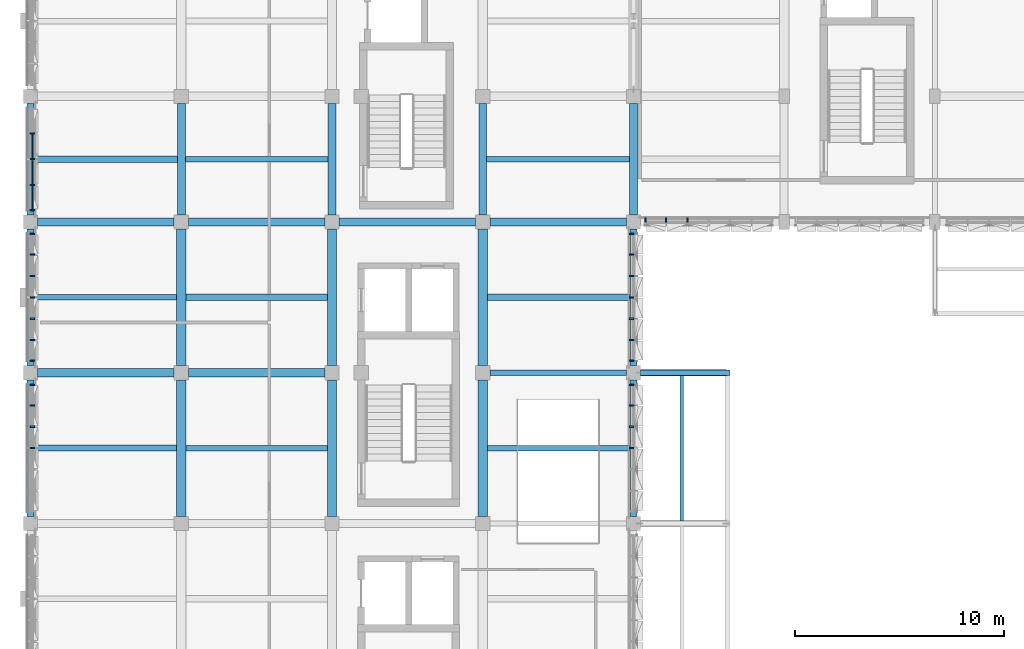
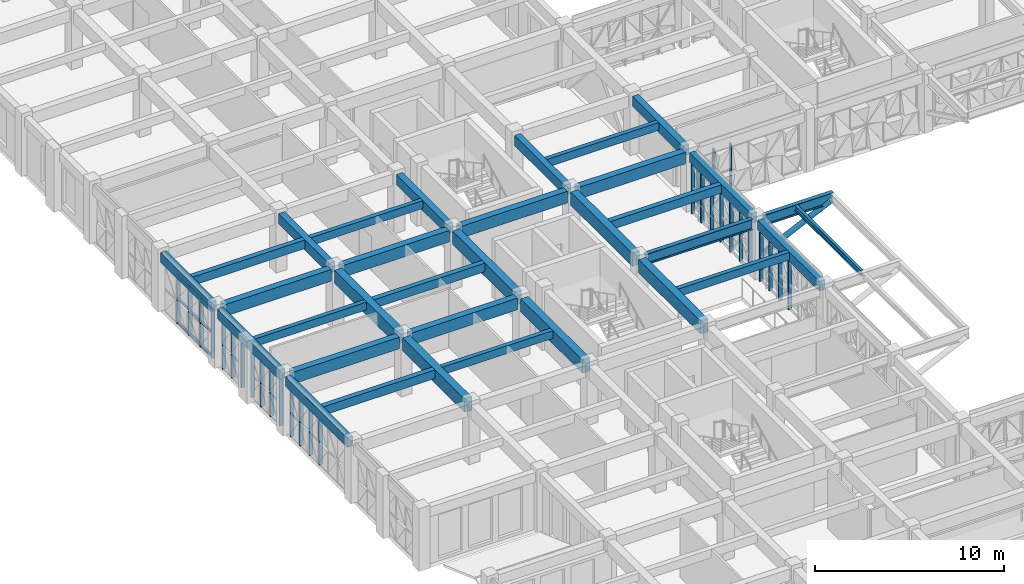
# One storey, part 7 of 88: 39 members, 33 beams, 6 elements without a shape of their own.
"""IFC4 building model written with IfcOpenShell, lengths in metres."""

from ifc_helpers import new_model, si_unit, direction, frame, origin, origin_2d, place, context, subcontext, project, spatial, rectangle, hollow_circle, i_section, extrude, material, material_profile, profile_set, type_object, element, aggregate, save


model = new_model("IFC4")

# Units and contexts
model_context = context("Model", 3, precision=1e-05, world=origin(), true_north=direction((0.0, 1.0)))
body_context = subcontext(model_context, "Body", "Model", "MODEL_VIEW")
ifc_project = project(units=[si_unit("LENGTHUNIT", "METRE"), si_unit("AREAUNIT", "SQUARE_METRE"), si_unit("VOLUMEUNIT", "CUBIC_METRE"), si_unit("PLANEANGLEUNIT", "RADIAN"), si_unit("MASSUNIT", "GRAM", prefix="KILO")], contexts=[model_context])

# Site, building, storey
site_placement = place(None, origin())
site = spatial("IfcSite", under=ifc_project, at=site_placement, CompositionType="ELEMENT")
building_placement = place(site_placement, origin())
building = spatial("IfcBuilding", under=site, at=building_placement, Name="Alvorim Cloister Faculty of Sciences", CompositionType="ELEMENT")
storey_placement = place(building_placement, frame((0.0, 0.0, 4.5)))
storey = spatial("IfcBuildingStorey", under=building, at=storey_placement, Name="L01", CompositionType="ELEMENT", Elevation=4.5)

# Beams
ifc_material_1 = material(Name="Concrete C40", Category="concrete")
ifc_material_profile_1 = material_profile(ifc_material_1, rectangle(XDim=0.260009765625, YDim=0.5, at=origin_2d()), Name="RC40-JST-260x500")
ifc_profile_set_1 = profile_set([ifc_material_profile_1], Name="Concrete C40")
beam_type_1 = type_object("IfcBeamType", Name="BM-JST-RC-260x500", PredefinedType="JOIST", material=ifc_profile_set_1)
beam_1_placement = place(storey_placement, frame((0.175048828125, 39.60009765625, 3.5400390625), z_axis=(1.0, 0.0, 0.0), x_axis=(0.0, 1.0, 0.0)))
element("IfcBeam", 1, at=beam_1_placement, inside=storey, type_object=beam_type_1, Name="L01 Secondary Floor Joist BM-1147", PredefinedType="JOIST", context=body_context, shape_type="SweptSolid", body=[
    extrude(rectangle(XDim=0.260009765625, YDim=0.5, at=origin_2d()), origin(), (0.0, 0.0, 1.0), 6.800048828125),
])
beam_2_placement = place(storey_placement, frame((7.425048828125, 32.39990234375, 3.5400390625), z_axis=(1.0, 0.0, 0.0), x_axis=(0.0, 1.0, 0.0)))
element("IfcBeam", 2, at=beam_2_placement, inside=storey, type_object=beam_type_1, Name="L01 Secondary Floor Joist BM-1162", PredefinedType="JOIST", context=body_context, shape_type="SweptSolid", body=[
    extrude(rectangle(XDim=0.260009765625, YDim=0.5, at=origin_2d()), origin(), (0.0, 0.0, 1.0), 6.75),
])
beam_3_placement = place(storey_placement, frame((7.389892578125, 46.199951171875, 3.5400390625), z_axis=(1.0, 0.0, 0.0), x_axis=(0.0, 1.0, 0.0)))
element("IfcBeam", 3, at=beam_3_placement, inside=storey, type_object=beam_type_1, Name="L01 Secondary Floor Joist BM-1164", PredefinedType="JOIST", context=body_context, shape_type="SweptSolid", body=[
    extrude(rectangle(XDim=0.260009765625, YDim=0.5, at=origin_2d()), origin(), (0.0, 0.0, 1.0), 6.820068359375),
])
beam_4_placement = place(storey_placement, frame((21.824951171875, 32.39990234375, 3.5400390625), z_axis=(1.0, 0.0, 0.0), x_axis=(0.0, 1.0, 0.0)))
element("IfcBeam", 4, at=beam_4_placement, inside=storey, type_object=beam_type_1, Name="L01 Secondary Floor Joist BM-1186", PredefinedType="JOIST", context=body_context, shape_type="SweptSolid", body=[
    extrude(rectangle(XDim=0.260009765625, YDim=0.5, at=origin_2d()), origin(), (0.0, 0.0, 1.0), 6.800048828125),
])
beam_5_placement = place(storey_placement, frame((21.7900390625, 46.199951171875, 3.5400390625), z_axis=(1.0, 0.0, 0.0), x_axis=(0.0, 1.0, 0.0)))
element("IfcBeam", 5, at=beam_5_placement, inside=storey, type_object=beam_type_1, Name="L01 Secondary Floor Joist BM-1188", PredefinedType="JOIST", context=body_context, shape_type="SweptSolid", body=[
    extrude(rectangle(XDim=0.260009765625, YDim=0.5, at=origin_2d()), origin(), (0.0, 0.0, 1.0), 6.820068359375),
])
ifc_material_profile_2 = material_profile(ifc_material_1, rectangle(XDim=0.300048828125, YDim=0.550048828125, at=origin_2d()), Name="RC40-JST-300x550")
ifc_profile_set_2 = profile_set([ifc_material_profile_2], Name="Concrete C40")
beam_type_2 = type_object("IfcBeamType", Name="BM-JST-RC-300x550", PredefinedType="JOIST", material=ifc_profile_set_2)
beam_6_placement = place(storey_placement, frame((0.175048828125, 32.39990234375, 3.514892578125), z_axis=(1.0, 0.0, 0.0), x_axis=(0.0, 1.0, 0.0)))
element("IfcBeam", 6, at=beam_6_placement, inside=storey, type_object=beam_type_2, Name="L01 Secondary Floor Joist BM-1146", PredefinedType="JOIST", context=body_context, shape_type="SweptSolid", body=[
    extrude(rectangle(XDim=0.300048828125, YDim=0.550048828125, at=origin_2d()), origin(), (0.0, 0.0, 1.0), 6.800048828125),
])
beam_7_placement = place(storey_placement, frame((0.175048828125, 46.199951171875, 3.514892578125), z_axis=(1.0, 0.0, 0.0), x_axis=(0.0, 1.0, 0.0)))
element("IfcBeam", 7, at=beam_7_placement, inside=storey, type_object=beam_type_2, Name="L01 Secondary Floor Joist BM-1148", PredefinedType="JOIST", context=body_context, shape_type="SweptSolid", body=[
    extrude(rectangle(XDim=0.300048828125, YDim=0.550048828125, at=origin_2d()), origin(), (0.0, 0.0, 1.0), 6.8349609375),
])
beam_8_placement = place(storey_placement, frame((7.425048828125, 39.60009765625, 3.514892578125), z_axis=(1.0, 0.0, 0.0), x_axis=(0.0, 1.0, 0.0)))
element("IfcBeam", 8, at=beam_8_placement, inside=storey, type_object=beam_type_2, Name="L01 Secondary Floor Joist BM-1163", PredefinedType="JOIST", context=body_context, shape_type="SweptSolid", body=[
    extrude(rectangle(XDim=0.300048828125, YDim=0.550048828125, at=origin_2d()), origin(), (0.0, 0.0, 1.0), 6.75),
])
beam_9_placement = place(storey_placement, frame((21.824951171875, 39.60009765625, 3.514892578125), z_axis=(1.0, 0.0, 0.0), x_axis=(0.0, 1.0, 0.0)))
element("IfcBeam", 9, at=beam_9_placement, inside=storey, type_object=beam_type_2, Name="L01 Secondary Floor Joist BM-1187", PredefinedType="JOIST", context=body_context, shape_type="SweptSolid", body=[
    extrude(rectangle(XDim=0.300048828125, YDim=0.550048828125, at=origin_2d()), origin(), (0.0, 0.0, 1.0), 6.800048828125),
])
ifc_material_profile_3 = material_profile(ifc_material_1, rectangle(XDim=0.3798828125, YDim=0.64990234375, at=origin_2d()), Name="RC40-BM-380x650")
ifc_profile_set_3 = profile_set([ifc_material_profile_3], Name="Concrete C40")
beam_type_3 = type_object("IfcBeamType", Name="BM-RC-380x650", PredefinedType="BEAM", material=ifc_profile_set_3)
for number, where, z_axis, x_axis, name in (
    (10, (7.199951171875, 43.5400390625, 3.465087890625), (0.0, 1.0, 0.0), (-1.0, 0.0, 0.0), "L01 Primary Girder BM-1038"),
    (11, (14.39990234375, 43.5400390625, 3.465087890625), (0.0, 1.0, 0.0), (-1.0, 0.0, 0.0), "L01 Primary Girder BM-1054"),
    (12, (21.60009765625, 43.5400390625, 3.465087890625), (0.0, 1.0, 0.0), (-1.0, 0.0, 0.0), "L01 Primary Girder BM-1070"),
    (13, (28.800048828125, 43.5400390625, 3.465087890625), (0.0, 1.0, 0.0), (-1.0, 0.0, 0.0), "L01 Primary Girder BM-1086"),
):
    element("IfcBeam", number, at=place(storey_placement, frame(where, z_axis=z_axis, x_axis=x_axis)), inside=storey, type_object=beam_type_3, Name=name, PredefinedType="BEAM", context=body_context, shape_type="SweptSolid", body=[
        extrude(rectangle(XDim=0.3798828125, YDim=0.64990234375, at=origin_2d()), origin(), (0.0, 0.0, 1.0), 5.320068359375),
    ])
ifc_material_profile_4 = material_profile(ifc_material_1, rectangle(XDim=0.39990234375, YDim=0.75, at=origin_2d()), Name="RC40-BM-400x750")
ifc_profile_set_4 = profile_set([ifc_material_profile_4], Name="Concrete C40")
beam_type_4 = type_object("IfcBeamType", Name="BM-RC-400x750", PredefinedType="BEAM", material=ifc_profile_set_4)
for number, where, z_axis, x_axis, name in (
    (14, (0.340087890625, 36.0, 3.4150390625), (1.0, 0.0, 0.0), (0.0, 1.0, 0.0), "L01 Primary Beam BM-0963"),
    (15, (7.5400390625, 36.0, 3.4150390625), (1.0, 0.0, 0.0), (0.0, 1.0, 0.0), "L01 Primary Beam BM-0964"),
    (16, (0.340087890625, 43.199951171875, 3.4150390625), (1.0, 0.0, 0.0), (0.0, 1.0, 0.0), "L01 Primary Beam BM-0965"),
    (17, (7.5400390625, 43.199951171875, 3.4150390625), (1.0, 0.0, 0.0), (0.0, 1.0, 0.0), "L01 Primary Beam BM-0966"),
    (18, (14.739990234375, 43.199951171875, 3.4150390625), (1.0, 0.0, 0.0), (0.0, 1.0, 0.0), "L01 Primary Beam BM-0967"),
    (19, (21.93994140625, 43.199951171875, 3.4150390625), (1.0, 0.0, 0.0), (0.0, 1.0, 0.0), "L01 Primary Beam BM-0968"),
):
    element("IfcBeam", number, at=place(storey_placement, frame(where, z_axis=z_axis, x_axis=x_axis)), inside=storey, type_object=beam_type_4, Name=name, PredefinedType="BEAM", context=body_context, shape_type="SweptSolid", body=[
        extrude(rectangle(XDim=0.39990234375, YDim=0.75, at=origin_2d()), origin(), (0.0, 0.0, 1.0), 6.52001953125),
    ])
ifc_material_profile_5 = material_profile(ifc_material_1, rectangle(XDim=0.449951171875, YDim=0.85009765625, at=origin_2d()), Name="RC40-BM-450x850")
ifc_profile_set_5 = profile_set([ifc_material_profile_5], Name="Concrete C40")
beam_type_5 = type_object("IfcBeamType", Name="BM-RC-450x850", PredefinedType="BEAM", material=ifc_profile_set_5)
for number, where, z_axis, x_axis, name in (
    (20, (7.199951171875, 29.139892578125, 3.364990234375), (0.0, 1.0, 0.0), (-1.0, 0.0, 0.0), "L01 Primary Girder BM-1036"),
    (21, (7.199951171875, 36.340087890625, 3.364990234375), (0.0, 1.0, 0.0), (-1.0, 0.0, 0.0), "L01 Primary Girder BM-1037"),
    (22, (14.39990234375, 29.139892578125, 3.364990234375), (0.0, 1.0, 0.0), (-1.0, 0.0, 0.0), "L01 Primary Girder BM-1052"),
    (23, (14.39990234375, 36.340087890625, 3.364990234375), (0.0, 1.0, 0.0), (-1.0, 0.0, 0.0), "L01 Primary Girder BM-1053"),
    (24, (21.60009765625, 29.139892578125, 3.364990234375), (0.0, 1.0, 0.0), (-1.0, 0.0, 0.0), "L01 Primary Girder BM-1068"),
    (25, (21.60009765625, 36.340087890625, 3.364990234375), (0.0, 1.0, 0.0), (-1.0, 0.0, 0.0), "L01 Primary Girder BM-1069"),
):
    element("IfcBeam", number, at=place(storey_placement, frame(where, z_axis=z_axis, x_axis=x_axis)), inside=storey, type_object=beam_type_5, Name=name, PredefinedType="BEAM", context=body_context, shape_type="SweptSolid", body=[
        extrude(rectangle(XDim=0.449951171875, YDim=0.85009765625, at=origin_2d()), origin(), (0.0, 0.0, 1.0), 6.52001953125),
    ])
ifc_material_profile_6 = material_profile(ifc_material_1, rectangle(XDim=0.35009765625, YDim=0.6201171875, at=origin_2d()), Name="RC40-SPD-350x620")
ifc_profile_set_6 = profile_set([ifc_material_profile_6], Name="Concrete C40")
beam_type_6 = type_object("IfcBeamType", Name="BM-SPD-RC-350x620", PredefinedType="SPANDREL", material=ifc_profile_set_6)
for number, where, z_axis, x_axis, name in (
    (26, (0.0, 29.139892578125, 3.47998046875), (0.0, 1.0, 0.0), (-1.0, 0.0, 0.0), "L01 Primary Girder BM-1020"),
    (27, (0.0, 36.340087890625, 3.47998046875), (0.0, 1.0, 0.0), (-1.0, 0.0, 0.0), "L01 Primary Girder BM-1021"),
):
    element("IfcBeam", number, at=place(storey_placement, frame(where, z_axis=z_axis, x_axis=x_axis)), inside=storey, type_object=beam_type_6, Name=name, PredefinedType="SPANDREL", context=body_context, shape_type="SweptSolid", body=[
        extrude(rectangle(XDim=0.35009765625, YDim=0.6201171875, at=origin_2d()), origin(), (0.0, 0.0, 1.0), 6.52001953125),
    ])
beam_10_placement = place(storey_placement, frame((0.0, 43.5400390625, 3.47998046875), z_axis=(0.0, 1.0, 0.0), x_axis=(-1.0, 0.0, 0.0)))
element("IfcBeam", 28, at=beam_10_placement, inside=storey, type_object=beam_type_6, Name="L01 Primary Girder BM-1022", PredefinedType="SPANDREL", context=body_context, shape_type="SweptSolid", body=[
    extrude(rectangle(XDim=0.35009765625, YDim=0.6201171875, at=origin_2d()), origin(), (0.0, 0.0, 1.0), 5.320068359375),
])
for number, where, z_axis, x_axis, name in (
    (29, (28.800048828125, 29.139892578125, 3.47998046875), (0.0, 1.0, 0.0), (-1.0, 0.0, 0.0), "L01 Primary Girder BM-1084"),
    (30, (28.800048828125, 36.340087890625, 3.47998046875), (0.0, 1.0, 0.0), (-1.0, 0.0, 0.0), "L01 Primary Girder BM-1085"),
):
    element("IfcBeam", number, at=place(storey_placement, frame(where, z_axis=z_axis, x_axis=x_axis)), inside=storey, type_object=beam_type_6, Name=name, PredefinedType="SPANDREL", context=body_context, shape_type="SweptSolid", body=[
        extrude(rectangle(XDim=0.35009765625, YDim=0.6201171875, at=origin_2d()), origin(), (0.0, 0.0, 1.0), 6.52001953125),
    ])
ifc_material_2 = material(Name="Steel ASTM A572 Grade 50", Category="steel")
ifc_material_profile_7 = material_profile(ifc_material_2, i_section(OverallWidth=0.1708984375, OverallDepth=0.35498046875, WebThickness=0.007080078125, FlangeThickness=0.01171875, FilletRadius=0.012939453125, at=origin_2d()), Name="W360x51.0")
ifc_profile_set_7 = profile_set([ifc_material_profile_7], Name="Steel ASTM A572 Grade 50")
beam_type_7 = type_object("IfcBeamType", Name="BM-STL-W360", PredefinedType="JOIST", material=ifc_profile_set_7)
beam_11_placement = place(storey_placement, frame((31.10009765625, 28.909912109375, 3.612548828125), z_axis=(0.0, 1.0, 0.0), x_axis=(-1.0, 0.0, 0.0)))
element("IfcBeam", 31, at=beam_11_placement, inside=storey, type_object=beam_type_7, Name="L01 Cantilever Deck Joist BM-0010", PredefinedType="JOIST", context=body_context, shape_type="SweptSolid", body=[
    extrude(i_section(OverallWidth=0.1708984375, OverallDepth=0.35498046875, WebThickness=0.007080078125, FlangeThickness=0.01171875, FilletRadius=0.012939453125, at=origin_2d()), origin(), (0.0, 0.0, 1.0), 6.97998046875),
])
ifc_material_profile_8 = material_profile(ifc_material_2, i_section(OverallWidth=0.25390625, OverallDepth=0.68408203125, WebThickness=0.012451171875, FlangeThickness=0.01904296875, FilletRadius=0.01904296875, at=origin_2d()), Name="W690x140.0")
ifc_profile_set_8 = profile_set([ifc_material_profile_8], Name="Steel ASTM A572 Grade 50")
beam_type_8 = type_object("IfcBeamType", Name="BM-STL-W690", PredefinedType="BEAM", material=ifc_profile_set_8)
beam_12_placement = place(storey_placement, frame((21.93994140625, 36.0, 3.447998046875), z_axis=(1.0, 0.0, 0.0), x_axis=(0.0, 1.0, 0.0)))
element("IfcBeam", 32, at=beam_12_placement, inside=storey, type_object=beam_type_8, Name="L01 Cantilever Backspan Girder BM-0005", PredefinedType="BEAM", context=body_context, shape_type="SweptSolid", body=[
    extrude(i_section(OverallWidth=0.25390625, OverallDepth=0.68408203125, WebThickness=0.012451171875, FlangeThickness=0.01904296875, FilletRadius=0.01904296875, at=origin_2d()), origin(), (0.0, 0.0, 1.0), 6.52001953125),
])
beam_13_placement = place(storey_placement, frame((29.139892578125, 36.0, 3.447998046875), z_axis=(1.0, 0.0, 0.0), x_axis=(0.0, 1.0, 0.0)))
element("IfcBeam", 33, at=beam_13_placement, inside=storey, type_object=beam_type_8, Name="L01 Cantilever Overhang Girder BM-0006", PredefinedType="BEAM", context=body_context, shape_type="SweptSolid", body=[
    extrude(i_section(OverallWidth=0.25390625, OverallDepth=0.68408203125, WebThickness=0.012451171875, FlangeThickness=0.01904296875, FilletRadius=0.01904296875, at=origin_2d()), origin(), (0.0, 0.0, 1.0), 4.260009765625),
])

# Curtain wall, members
ifc_material_3 = material(Name="Aluminium and Low-E Glass Curtain Wall", Category="aluminium")
curtain_wall_type_1 = type_object("IfcCurtainWallType", Name="CW-TRI-6120x3170", PredefinedType="USERDEFINED", material=ifc_material_3)
curtain_wall_1_placement = place(storey_placement, origin())
curtain_wall_1 = element("IfcCurtainWall", 34, at=curtain_wall_1_placement, inside=storey, type_object=curtain_wall_type_1, Name="L01 Diagonal Cassette Curtain Wall CW-0008", ObjectType="UNITISED CURTAIN WALL", PredefinedType="USERDEFINED")
ifc_material_4 = material(Name="Aluminium Alloy 6063-T6", Category="aluminium")
ifc_material_profile_9 = material_profile(ifc_material_4, rectangle(XDim=0.074951171875, YDim=0.219970703125, at=origin_2d()), Name="ALU-MUL-75x220")
ifc_profile_set_9 = profile_set([ifc_material_profile_9], Name="Aluminium Alloy 6063-T6")
member_type_1 = type_object("IfcMemberType", Name="CW-MUL-75x220", PredefinedType="MULLION", material=ifc_profile_set_9)
member_1_placement = place(storey_placement, frame((0.090087890625, 32.39990234375, 0.0), z_axis=(0.0, 0.0, 1.0), x_axis=(0.0, 1.0, 0.0)))
member_1 = element("IfcMember", 35, at=member_1_placement, type_object=member_type_1, Name="CW-0008 Mullion 4", PredefinedType="MULLION", context=body_context, shape_type="SweptSolid", body=[
    extrude(rectangle(XDim=0.074951171875, YDim=0.219970703125, at=origin_2d()), origin(), (0.0, 0.0, 1.0), 3.169921875),
])
member_2_placement = place(storey_placement, frame((0.090087890625, 33.419921875, 0.0), z_axis=(0.0, 0.0, 1.0), x_axis=(0.0, 1.0, 0.0)))
member_2 = element("IfcMember", 36, at=member_2_placement, type_object=member_type_1, Name="CW-0008 Mullion 5", PredefinedType="MULLION", context=body_context, shape_type="SweptSolid", body=[
    extrude(rectangle(XDim=0.074951171875, YDim=0.219970703125, at=origin_2d()), origin(), (0.0, 0.0, 1.0), 3.169921875),
])
member_3_placement = place(storey_placement, frame((0.090087890625, 34.43994140625, 0.0), z_axis=(0.0, 0.0, 1.0), x_axis=(0.0, 1.0, 0.0)))
member_3 = element("IfcMember", 37, at=member_3_placement, type_object=member_type_1, Name="CW-0008 Mullion 6", PredefinedType="MULLION", context=body_context, shape_type="SweptSolid", body=[
    extrude(rectangle(XDim=0.074951171875, YDim=0.219970703125, at=origin_2d()), origin(), (0.0, 0.0, 1.0), 3.169921875),
])
member_4_placement = place(storey_placement, frame((0.090087890625, 35.422607421875, 0.0), z_axis=(0.0, 0.0, 1.0), x_axis=(0.0, 1.0, 0.0)))
member_4 = element("IfcMember", 38, at=member_4_placement, type_object=member_type_1, Name="CW-0008 Mullion 7", PredefinedType="MULLION", context=body_context, shape_type="SweptSolid", body=[
    extrude(rectangle(XDim=0.074951171875, YDim=0.219970703125, at=origin_2d()), origin(), (0.0, 0.0, 1.0), 3.169921875),
])
aggregate(curtain_wall_1, [member_1, member_2, member_3, member_4])

curtain_wall_2_placement = place(storey_placement, origin())
curtain_wall_2 = element("IfcCurtainWall", 39, at=curtain_wall_2_placement, inside=storey, type_object=curtain_wall_type_1, Name="L01 Diagonal Cassette Curtain Wall CW-0009", ObjectType="UNITISED CURTAIN WALL", PredefinedType="USERDEFINED")
member_5_placement = place(storey_placement, frame((0.090087890625, 36.577392578125, 0.0), z_axis=(0.0, 0.0, 1.0), x_axis=(0.0, 1.0, 0.0)))
member_5 = element("IfcMember", 40, at=member_5_placement, type_object=member_type_1, Name="CW-0009 Mullion 1", PredefinedType="MULLION", context=body_context, shape_type="SweptSolid", body=[
    extrude(rectangle(XDim=0.074951171875, YDim=0.219970703125, at=origin_2d()), origin(), (0.0, 0.0, 1.0), 3.169921875),
])
member_6_placement = place(storey_placement, frame((0.090087890625, 37.56005859375, 0.0), z_axis=(0.0, 0.0, 1.0), x_axis=(0.0, 1.0, 0.0)))
member_6 = element("IfcMember", 41, at=member_6_placement, type_object=member_type_1, Name="CW-0009 Mullion 2", PredefinedType="MULLION", context=body_context, shape_type="SweptSolid", body=[
    extrude(rectangle(XDim=0.074951171875, YDim=0.219970703125, at=origin_2d()), origin(), (0.0, 0.0, 1.0), 3.169921875),
])
member_7_placement = place(storey_placement, frame((0.090087890625, 38.580078125, 0.0), z_axis=(0.0, 0.0, 1.0), x_axis=(0.0, 1.0, 0.0)))
member_7 = element("IfcMember", 42, at=member_7_placement, type_object=member_type_1, Name="CW-0009 Mullion 3", PredefinedType="MULLION", context=body_context, shape_type="SweptSolid", body=[
    extrude(rectangle(XDim=0.074951171875, YDim=0.219970703125, at=origin_2d()), origin(), (0.0, 0.0, 1.0), 3.169921875),
])
member_8_placement = place(storey_placement, frame((0.090087890625, 39.60009765625, 0.0), z_axis=(0.0, 0.0, 1.0), x_axis=(0.0, 1.0, 0.0)))
member_8 = element("IfcMember", 43, at=member_8_placement, type_object=member_type_1, Name="CW-0009 Mullion 4", PredefinedType="MULLION", context=body_context, shape_type="SweptSolid", body=[
    extrude(rectangle(XDim=0.074951171875, YDim=0.219970703125, at=origin_2d()), origin(), (0.0, 0.0, 1.0), 3.169921875),
])
member_9_placement = place(storey_placement, frame((0.090087890625, 40.6201171875, 0.0), z_axis=(0.0, 0.0, 1.0), x_axis=(0.0, 1.0, 0.0)))
member_9 = element("IfcMember", 44, at=member_9_placement, type_object=member_type_1, Name="CW-0009 Mullion 5", PredefinedType="MULLION", context=body_context, shape_type="SweptSolid", body=[
    extrude(rectangle(XDim=0.074951171875, YDim=0.219970703125, at=origin_2d()), origin(), (0.0, 0.0, 1.0), 3.169921875),
])
member_10_placement = place(storey_placement, frame((0.090087890625, 41.639892578125, 0.0), z_axis=(0.0, 0.0, 1.0), x_axis=(0.0, 1.0, 0.0)))
member_10 = element("IfcMember", 45, at=member_10_placement, type_object=member_type_1, Name="CW-0009 Mullion 6", PredefinedType="MULLION", context=body_context, shape_type="SweptSolid", body=[
    extrude(rectangle(XDim=0.074951171875, YDim=0.219970703125, at=origin_2d()), origin(), (0.0, 0.0, 1.0), 3.169921875),
])
member_11_placement = place(storey_placement, frame((0.090087890625, 42.62255859375, 0.0), z_axis=(0.0, 0.0, 1.0), x_axis=(0.0, 1.0, 0.0)))
member_11 = element("IfcMember", 46, at=member_11_placement, type_object=member_type_1, Name="CW-0009 Mullion 7", PredefinedType="MULLION", context=body_context, shape_type="SweptSolid", body=[
    extrude(rectangle(XDim=0.074951171875, YDim=0.219970703125, at=origin_2d()), origin(), (0.0, 0.0, 1.0), 3.169921875),
])
aggregate(curtain_wall_2, [member_5, member_6, member_7, member_8, member_9, member_10, member_11])

curtain_wall_type_2 = type_object("IfcCurtainWallType", Name="CW-TRI-4920x3170", PredefinedType="USERDEFINED", material=ifc_material_3)
curtain_wall_3_placement = place(storey_placement, origin())
curtain_wall_3 = element("IfcCurtainWall", 47, at=curtain_wall_3_placement, inside=storey, type_object=curtain_wall_type_2, Name="L01 Diagonal Cassette Curtain Wall CW-0010", ObjectType="UNITISED CURTAIN WALL", PredefinedType="USERDEFINED")
member_12_placement = place(storey_placement, frame((0.090087890625, 43.777587890625, 0.0), z_axis=(0.0, 0.0, 1.0), x_axis=(0.0, 1.0, 0.0)))
member_12 = element("IfcMember", 48, at=member_12_placement, type_object=member_type_1, Name="CW-0010 Mullion 1", PredefinedType="MULLION", context=body_context, shape_type="SweptSolid", body=[
    extrude(rectangle(XDim=0.074951171875, YDim=0.219970703125, at=origin_2d()), origin(), (0.0, 0.0, 1.0), 3.169921875),
])
member_13_placement = place(storey_placement, frame((0.090087890625, 44.969970703125, 0.0), z_axis=(0.0, 0.0, 1.0), x_axis=(0.0, 1.0, 0.0)))
member_13 = element("IfcMember", 49, at=member_13_placement, type_object=member_type_1, Name="CW-0010 Mullion 2", PredefinedType="MULLION", context=body_context, shape_type="SweptSolid", body=[
    extrude(rectangle(XDim=0.074951171875, YDim=0.219970703125, at=origin_2d()), origin(), (0.0, 0.0, 1.0), 3.169921875),
])
member_14_placement = place(storey_placement, frame((0.090087890625, 46.199951171875, 0.0), z_axis=(0.0, 0.0, 1.0), x_axis=(0.0, 1.0, 0.0)))
member_14 = element("IfcMember", 50, at=member_14_placement, type_object=member_type_1, Name="CW-0010 Mullion 3", PredefinedType="MULLION", context=body_context, shape_type="SweptSolid", body=[
    extrude(rectangle(XDim=0.074951171875, YDim=0.219970703125, at=origin_2d()), origin(), (0.0, 0.0, 1.0), 3.169921875),
])
member_15_placement = place(storey_placement, frame((0.090087890625, 47.429931640625, 0.0), z_axis=(0.0, 0.0, 1.0), x_axis=(0.0, 1.0, 0.0)))
member_15 = element("IfcMember", 51, at=member_15_placement, type_object=member_type_1, Name="CW-0010 Mullion 4", PredefinedType="MULLION", context=body_context, shape_type="SweptSolid", body=[
    extrude(rectangle(XDim=0.074951171875, YDim=0.219970703125, at=origin_2d()), origin(), (0.0, 0.0, 1.0), 3.169921875),
])

curtain_wall_4_placement = place(storey_placement, origin())
curtain_wall_4 = element("IfcCurtainWall", 52, at=curtain_wall_4_placement, inside=storey, type_object=curtain_wall_type_1, Name="L01 Diagonal Cassette Curtain Wall CW-0023", ObjectType="UNITISED CURTAIN WALL", PredefinedType="USERDEFINED")
member_16_placement = place(storey_placement, frame((29.37744140625, 43.2900390625, 0.0), z_axis=(0.0, 0.0, 1.0), x_axis=(1.0, 0.0, 0.0)))
member_16 = element("IfcMember", 53, at=member_16_placement, type_object=member_type_1, Name="CW-0023 Mullion 1", PredefinedType="MULLION", context=body_context, shape_type="SweptSolid", body=[
    extrude(rectangle(XDim=0.074951171875, YDim=0.219970703125, at=origin_2d()), origin(), (0.0, 0.0, 1.0), 3.169921875),
])
member_17_placement = place(storey_placement, frame((30.360107421875, 43.2900390625, 0.0), z_axis=(0.0, 0.0, 1.0), x_axis=(1.0, 0.0, 0.0)))
member_17 = element("IfcMember", 54, at=member_17_placement, type_object=member_type_1, Name="CW-0023 Mullion 2", PredefinedType="MULLION", context=body_context, shape_type="SweptSolid", body=[
    extrude(rectangle(XDim=0.074951171875, YDim=0.219970703125, at=origin_2d()), origin(), (0.0, 0.0, 1.0), 3.169921875),
])
member_18_placement = place(storey_placement, frame((31.3798828125, 43.2900390625, 0.0), z_axis=(0.0, 0.0, 1.0), x_axis=(1.0, 0.0, 0.0)))
member_18 = element("IfcMember", 55, at=member_18_placement, type_object=member_type_1, Name="CW-0023 Mullion 3", PredefinedType="MULLION", context=body_context, shape_type="SweptSolid", body=[
    extrude(rectangle(XDim=0.074951171875, YDim=0.219970703125, at=origin_2d()), origin(), (0.0, 0.0, 1.0), 3.169921875),
])
aggregate(curtain_wall_4, [member_16, member_17, member_18])

curtain_wall_5_placement = place(storey_placement, origin())
curtain_wall_5 = element("IfcCurtainWall", 56, at=curtain_wall_5_placement, inside=storey, type_object=curtain_wall_type_1, Name="L01 Diagonal Cassette Curtain Wall CW-0024", ObjectType="UNITISED CURTAIN WALL", PredefinedType="USERDEFINED")
member_19_placement = place(storey_placement, frame((28.7099609375, 36.577392578125, 0.0), z_axis=(0.0, 0.0, 1.0), x_axis=(0.0, 1.0, 0.0)))
member_19 = element("IfcMember", 57, at=member_19_placement, type_object=member_type_1, Name="CW-0024 Mullion 1", PredefinedType="MULLION", context=body_context, shape_type="SweptSolid", body=[
    extrude(rectangle(XDim=0.074951171875, YDim=0.219970703125, at=origin_2d()), origin(), (0.0, 0.0, 1.0), 3.169921875),
])
member_20_placement = place(storey_placement, frame((28.7099609375, 37.56005859375, 0.0), z_axis=(0.0, 0.0, 1.0), x_axis=(0.0, 1.0, 0.0)))
member_20 = element("IfcMember", 58, at=member_20_placement, type_object=member_type_1, Name="CW-0024 Mullion 2", PredefinedType="MULLION", context=body_context, shape_type="SweptSolid", body=[
    extrude(rectangle(XDim=0.074951171875, YDim=0.219970703125, at=origin_2d()), origin(), (0.0, 0.0, 1.0), 3.169921875),
])
member_21_placement = place(storey_placement, frame((28.7099609375, 38.580078125, 0.0), z_axis=(0.0, 0.0, 1.0), x_axis=(0.0, 1.0, 0.0)))
member_21 = element("IfcMember", 59, at=member_21_placement, type_object=member_type_1, Name="CW-0024 Mullion 3", PredefinedType="MULLION", context=body_context, shape_type="SweptSolid", body=[
    extrude(rectangle(XDim=0.074951171875, YDim=0.219970703125, at=origin_2d()), origin(), (0.0, 0.0, 1.0), 3.169921875),
])
member_22_placement = place(storey_placement, frame((28.7099609375, 39.60009765625, 0.0), z_axis=(0.0, 0.0, 1.0), x_axis=(0.0, 1.0, 0.0)))
member_22 = element("IfcMember", 60, at=member_22_placement, type_object=member_type_1, Name="CW-0024 Mullion 4", PredefinedType="MULLION", context=body_context, shape_type="SweptSolid", body=[
    extrude(rectangle(XDim=0.074951171875, YDim=0.219970703125, at=origin_2d()), origin(), (0.0, 0.0, 1.0), 3.169921875),
])
member_23_placement = place(storey_placement, frame((28.7099609375, 40.6201171875, 0.0), z_axis=(0.0, 0.0, 1.0), x_axis=(0.0, 1.0, 0.0)))
member_23 = element("IfcMember", 61, at=member_23_placement, type_object=member_type_1, Name="CW-0024 Mullion 5", PredefinedType="MULLION", context=body_context, shape_type="SweptSolid", body=[
    extrude(rectangle(XDim=0.074951171875, YDim=0.219970703125, at=origin_2d()), origin(), (0.0, 0.0, 1.0), 3.169921875),
])
member_24_placement = place(storey_placement, frame((28.7099609375, 41.639892578125, 0.0), z_axis=(0.0, 0.0, 1.0), x_axis=(0.0, 1.0, 0.0)))
member_24 = element("IfcMember", 62, at=member_24_placement, type_object=member_type_1, Name="CW-0024 Mullion 6", PredefinedType="MULLION", context=body_context, shape_type="SweptSolid", body=[
    extrude(rectangle(XDim=0.074951171875, YDim=0.219970703125, at=origin_2d()), origin(), (0.0, 0.0, 1.0), 3.169921875),
])
member_25_placement = place(storey_placement, frame((28.7099609375, 42.62255859375, 0.0), z_axis=(0.0, 0.0, 1.0), x_axis=(0.0, 1.0, 0.0)))
member_25 = element("IfcMember", 63, at=member_25_placement, type_object=member_type_1, Name="CW-0024 Mullion 7", PredefinedType="MULLION", context=body_context, shape_type="SweptSolid", body=[
    extrude(rectangle(XDim=0.074951171875, YDim=0.219970703125, at=origin_2d()), origin(), (0.0, 0.0, 1.0), 3.169921875),
])
aggregate(curtain_wall_5, [member_19, member_20, member_21, member_22, member_23, member_24, member_25])

curtain_wall_6_placement = place(storey_placement, origin())
curtain_wall_6 = element("IfcCurtainWall", 64, at=curtain_wall_6_placement, inside=storey, type_object=curtain_wall_type_1, Name="L01 Diagonal Cassette Curtain Wall CW-0025", ObjectType="UNITISED CURTAIN WALL", PredefinedType="USERDEFINED")
member_26_placement = place(storey_placement, frame((28.7099609375, 32.39990234375, 0.0), z_axis=(0.0, 0.0, 1.0), x_axis=(0.0, 1.0, 0.0)))
member_26 = element("IfcMember", 65, at=member_26_placement, type_object=member_type_1, Name="CW-0025 Mullion 4", PredefinedType="MULLION", context=body_context, shape_type="SweptSolid", body=[
    extrude(rectangle(XDim=0.074951171875, YDim=0.219970703125, at=origin_2d()), origin(), (0.0, 0.0, 1.0), 3.169921875),
])
member_27_placement = place(storey_placement, frame((28.7099609375, 33.419921875, 0.0), z_axis=(0.0, 0.0, 1.0), x_axis=(0.0, 1.0, 0.0)))
member_27 = element("IfcMember", 66, at=member_27_placement, type_object=member_type_1, Name="CW-0025 Mullion 5", PredefinedType="MULLION", context=body_context, shape_type="SweptSolid", body=[
    extrude(rectangle(XDim=0.074951171875, YDim=0.219970703125, at=origin_2d()), origin(), (0.0, 0.0, 1.0), 3.169921875),
])
member_28_placement = place(storey_placement, frame((28.7099609375, 34.43994140625, 0.0), z_axis=(0.0, 0.0, 1.0), x_axis=(0.0, 1.0, 0.0)))
member_28 = element("IfcMember", 67, at=member_28_placement, type_object=member_type_1, Name="CW-0025 Mullion 6", PredefinedType="MULLION", context=body_context, shape_type="SweptSolid", body=[
    extrude(rectangle(XDim=0.074951171875, YDim=0.219970703125, at=origin_2d()), origin(), (0.0, 0.0, 1.0), 3.169921875),
])
member_29_placement = place(storey_placement, frame((28.7099609375, 35.422607421875, 0.0), z_axis=(0.0, 0.0, 1.0), x_axis=(0.0, 1.0, 0.0)))
member_29 = element("IfcMember", 68, at=member_29_placement, type_object=member_type_1, Name="CW-0025 Mullion 7", PredefinedType="MULLION", context=body_context, shape_type="SweptSolid", body=[
    extrude(rectangle(XDim=0.074951171875, YDim=0.219970703125, at=origin_2d()), origin(), (0.0, 0.0, 1.0), 3.169921875),
])
aggregate(curtain_wall_6, [member_26, member_27, member_28, member_29])

# Member
ifc_material_profile_10 = material_profile(ifc_material_4, rectangle(XDim=0.074951171875, YDim=0.159912109375, at=origin_2d()), Name="ALU-TRN-75x160")
ifc_profile_set_10 = profile_set([ifc_material_profile_10], Name="Aluminium Alloy 6063-T6")
member_type_2 = type_object("IfcMemberType", Name="CW-TRN-75x160", PredefinedType="USERDEFINED", material=ifc_profile_set_10)
member_30_placement = place(storey_placement, frame((0.090087890625, 43.81494140625, 0.080078125), z_axis=(0.0, 1.0, 0.0), x_axis=(-1.0, 0.0, 0.0)))
member_30 = element("IfcMember", 69, at=member_30_placement, type_object=member_type_2, Name="CW-0010 Transom 1.1", ObjectType="TRANSOM", PredefinedType="USERDEFINED", context=body_context, shape_type="SweptSolid", body=[
    extrude(rectangle(XDim=0.074951171875, YDim=0.159912109375, at=origin_2d()), origin(), (0.0, 0.0, 1.0), 1.11767578125),
])

member_31_placement = place(storey_placement, frame((0.090087890625, 43.81494140625, 1.5849609375), z_axis=(0.0, 1.0, 0.0), x_axis=(-1.0, 0.0, 0.0)))
member_31 = element("IfcMember", 70, at=member_31_placement, type_object=member_type_2, Name="CW-0010 Transom 1.2", ObjectType="TRANSOM", PredefinedType="USERDEFINED", context=body_context, shape_type="SweptSolid", body=[
    extrude(rectangle(XDim=0.074951171875, YDim=0.159912109375, at=origin_2d()), origin(), (0.0, 0.0, 1.0), 1.11767578125),
])

member_32_placement = place(storey_placement, frame((0.090087890625, 43.81494140625, 3.090087890625), z_axis=(0.0, 1.0, 0.0), x_axis=(-1.0, 0.0, 0.0)))
member_32 = element("IfcMember", 71, at=member_32_placement, type_object=member_type_2, Name="CW-0010 Transom 1.3", ObjectType="TRANSOM", PredefinedType="USERDEFINED", context=body_context, shape_type="SweptSolid", body=[
    extrude(rectangle(XDim=0.074951171875, YDim=0.159912109375, at=origin_2d()), origin(), (0.0, 0.0, 1.0), 1.11767578125),
])

member_33_placement = place(storey_placement, frame((0.090087890625, 45.007568359375, 0.080078125), z_axis=(0.0, 1.0, 0.0), x_axis=(-1.0, 0.0, 0.0)))
member_33 = element("IfcMember", 72, at=member_33_placement, type_object=member_type_2, Name="CW-0010 Transom 2.1", ObjectType="TRANSOM", PredefinedType="USERDEFINED", context=body_context, shape_type="SweptSolid", body=[
    extrude(rectangle(XDim=0.074951171875, YDim=0.159912109375, at=origin_2d()), origin(), (0.0, 0.0, 1.0), 1.155029296875),
])

member_34_placement = place(storey_placement, frame((0.090087890625, 45.007568359375, 1.5849609375), z_axis=(0.0, 1.0, 0.0), x_axis=(-1.0, 0.0, 0.0)))
member_34 = element("IfcMember", 73, at=member_34_placement, type_object=member_type_2, Name="CW-0010 Transom 2.2", ObjectType="TRANSOM", PredefinedType="USERDEFINED", context=body_context, shape_type="SweptSolid", body=[
    extrude(rectangle(XDim=0.074951171875, YDim=0.159912109375, at=origin_2d()), origin(), (0.0, 0.0, 1.0), 1.155029296875),
])

member_35_placement = place(storey_placement, frame((0.090087890625, 45.007568359375, 3.090087890625), z_axis=(0.0, 1.0, 0.0), x_axis=(-1.0, 0.0, 0.0)))
member_35 = element("IfcMember", 74, at=member_35_placement, type_object=member_type_2, Name="CW-0010 Transom 2.3", ObjectType="TRANSOM", PredefinedType="USERDEFINED", context=body_context, shape_type="SweptSolid", body=[
    extrude(rectangle(XDim=0.074951171875, YDim=0.159912109375, at=origin_2d()), origin(), (0.0, 0.0, 1.0), 1.155029296875),
])

member_36_placement = place(storey_placement, frame((0.090087890625, 46.237548828125, 0.080078125), z_axis=(0.0, 1.0, 0.0), x_axis=(-1.0, 0.0, 0.0)))
member_36 = element("IfcMember", 75, at=member_36_placement, type_object=member_type_2, Name="CW-0010 Transom 3.1", ObjectType="TRANSOM", PredefinedType="USERDEFINED", context=body_context, shape_type="SweptSolid", body=[
    extrude(rectangle(XDim=0.074951171875, YDim=0.159912109375, at=origin_2d()), origin(), (0.0, 0.0, 1.0), 1.155029296875),
])

member_37_placement = place(storey_placement, frame((0.090087890625, 46.237548828125, 1.5849609375), z_axis=(0.0, 1.0, 0.0), x_axis=(-1.0, 0.0, 0.0)))
member_37 = element("IfcMember", 76, at=member_37_placement, type_object=member_type_2, Name="CW-0010 Transom 3.2", ObjectType="TRANSOM", PredefinedType="USERDEFINED", context=body_context, shape_type="SweptSolid", body=[
    extrude(rectangle(XDim=0.074951171875, YDim=0.159912109375, at=origin_2d()), origin(), (0.0, 0.0, 1.0), 1.155029296875),
])

member_38_placement = place(storey_placement, frame((0.090087890625, 46.237548828125, 3.090087890625), z_axis=(0.0, 1.0, 0.0), x_axis=(-1.0, 0.0, 0.0)))
member_38 = element("IfcMember", 77, at=member_38_placement, type_object=member_type_2, Name="CW-0010 Transom 3.3", ObjectType="TRANSOM", PredefinedType="USERDEFINED", context=body_context, shape_type="SweptSolid", body=[
    extrude(rectangle(XDim=0.074951171875, YDim=0.159912109375, at=origin_2d()), origin(), (0.0, 0.0, 1.0), 1.155029296875),
])

aggregate(curtain_wall_3, [member_12, member_13, member_14, member_15, member_30, member_31, member_32, member_33, member_34, member_35, member_36, member_37, member_38])

ifc_material_profile_11 = material_profile(ifc_material_2, hollow_circle(Radius=0.161865234375, WallThickness=0.012451171875, at=origin_2d()), Name="CHS323.9x12.5")
ifc_profile_set_11 = profile_set([ifc_material_profile_11], Name="Steel ASTM A572 Grade 50")
member_type_3 = type_object("IfcMemberType", Name="MB-BRC-CHS323", PredefinedType="BRACE", material=ifc_profile_set_11)
member_39_placement = place(storey_placement, frame((29.080078125, 36.0, 1.25), z_axis=(0.903825730376, 0.0, 0.427900746798), x_axis=(0.0, 1.0, 0.0)))
element("IfcMember", 78, at=member_39_placement, inside=storey, type_object=member_type_3, Name="L01 Cantilever Raker Strut MB-0003", PredefinedType="BRACE", context=body_context, shape_type="SweptSolid", body=[
    extrude(hollow_circle(Radius=0.161865234375, WallThickness=0.012451171875, at=origin_2d()), origin(), (0.0, 0.0, 1.0), 4.580322265625),
])

save(model, "model.ifc")
